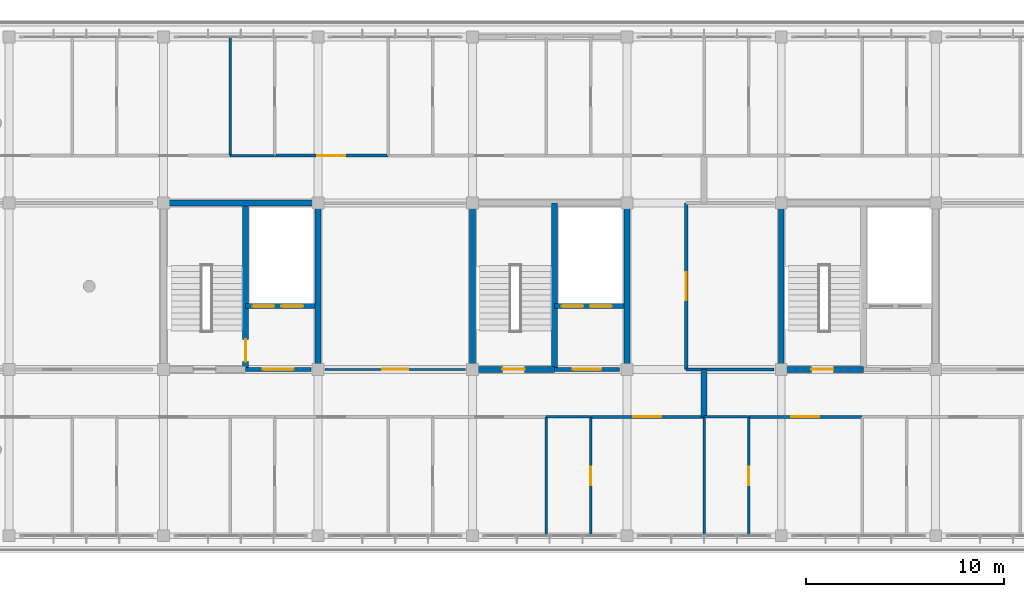
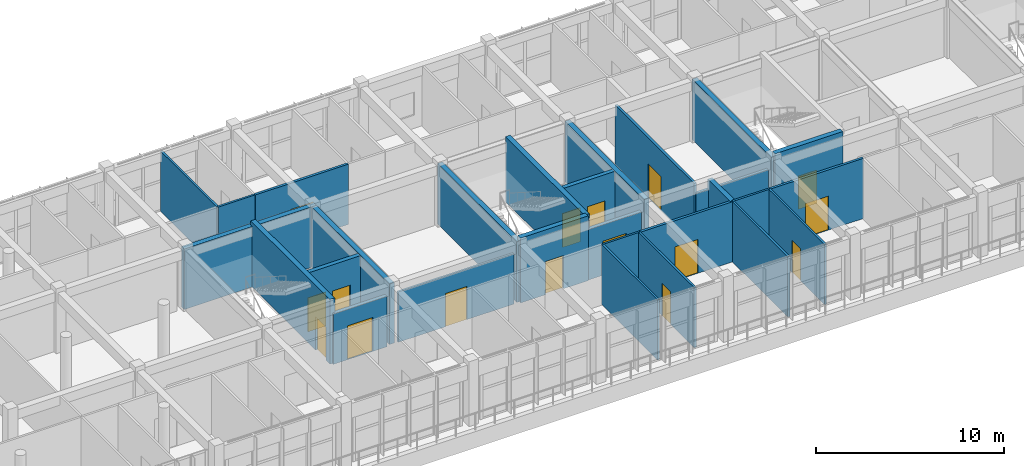
# One storey, part 48 of 56: 28 walls, 16 doors, 16 openings.
"""IFC4 building model written with IfcOpenShell, lengths in metres."""

import ifcopenshell
import ifcopenshell.guid

model = None  # the IFC model being written
_history = None  # IfcOwnerHistory: only IFC2X3 demands one
_inside = {}  # id of a spatial element -> (the spatial element, [elements in it])
_under = {}  # id of a project, library or spatial element -> (it, [spatial elements below it])
_declared = {}  # id of a project -> (the project, [libraries it declares])
_typed = {}  # id of a type object -> (the type object, [elements of that type])
_made_of = {}  # id of a material, layer set ... -> (it, [elements and type objects made of it])


def new_model(schema):
    """Start an empty IFC model of exactly this schema.

    Asked for "IFC4X3", IfcOpenShell would pick the latest addendum, in which some entities
    have other attributes; the version numbers below select the first issue.
    IFC2X3 requires an IfcOwnerHistory on every rooted entity: one is made here for all.
    """
    global model, _history
    if schema == "IFC4X3":
        model = ifcopenshell.file(schema_version=(4, 3, 0, 0))
    else:
        model = ifcopenshell.file(schema=schema)
    _inside.clear()
    _under.clear()
    _declared.clear()
    _typed.clear()
    _made_of.clear()
    _history = None
    if model.schema == "IFC2X3":
        org = make("IfcOrganization", Name="unknown")
        user = make(
            "IfcPersonAndOrganization",
            ThePerson=make("IfcPerson", FamilyName="unknown"),
            TheOrganization=org,
        )
        app = make(
            "IfcApplication",
            ApplicationDeveloper=org,
            Version="unknown",
            ApplicationFullName="unknown",
            ApplicationIdentifier="unknown",
        )
        _history = make(
            "IfcOwnerHistory",
            OwningUser=user,
            OwningApplication=app,
            ChangeAction="ADDED",
            CreationDate=0,
        )
    return model


def make(cls, **values):
    """One entity of the class cls with the attributes given. An attribute that is None is left unset."""
    return model.create_entity(
        cls, **{name: value for name, value in values.items() if value is not None}
    )


def rooted(cls, **values):
    """An entity with a GlobalId (a new one), such as an element, a storey or a relation."""
    return make(cls, GlobalId=ifcopenshell.guid.new(), OwnerHistory=_history, **values)


def si_unit(unit_type, name, prefix=None):
    """IfcSIUnit, for example si_unit("LENGTHUNIT", "METRE", prefix="MILLI")."""
    return make("IfcSIUnit", UnitType=unit_type, Prefix=prefix, Name=name)


def assignment(units):
    """IfcUnitAssignment: the units of a project."""
    return None if units is None else make("IfcUnitAssignment", Units=units)


def point(xyz):
    """IfcCartesianPoint."""
    return None if xyz is None else make("IfcCartesianPoint", Coordinates=xyz)


def direction(xyz):
    """IfcDirection."""
    return None if xyz is None else make("IfcDirection", DirectionRatios=xyz)


def frame(location, z_axis=None, x_axis=None):
    """IfcAxis2Placement3D, a coordinate frame: its origin and axes. An axis left out is left unset."""
    return make(
        "IfcAxis2Placement3D",
        Location=point(location),
        Axis=direction(z_axis),
        RefDirection=direction(x_axis),
    )


def frame_2d(location, x_axis=None):
    """IfcAxis2Placement2D, a coordinate frame in the plane: its origin and x axis."""
    return make(
        "IfcAxis2Placement2D", Location=point(location), RefDirection=direction(x_axis)
    )


def origin():
    """The frame at (0, 0, 0) with its axes left unset."""
    return frame((0.0, 0.0, 0.0))


def place(relative_to, where):
    """IfcLocalPlacement: puts the frame where relative to a parent placement (None: the world)."""
    return make(
        "IfcLocalPlacement", PlacementRelTo=relative_to, RelativePlacement=where
    )


def context(
    kind, dimensions, precision=None, world=None, true_north=None, identifier=None
):
    """IfcGeometricRepresentationContext, for example the 3D "Model" context."""
    return make(
        "IfcGeometricRepresentationContext",
        ContextIdentifier=identifier,
        ContextType=kind,
        CoordinateSpaceDimension=dimensions,
        Precision=precision,
        WorldCoordinateSystem=world,
        TrueNorth=true_north,
    )


def subcontext(parent, identifier, kind, view, scale=None):
    """IfcGeometricRepresentationSubContext, for example "Body" below "Model"."""
    return make(
        "IfcGeometricRepresentationSubContext",
        ContextIdentifier=identifier,
        ContextType=kind,
        ParentContext=parent,
        TargetScale=scale,
        TargetView=view,
    )


def project(units=None, contexts=None):
    """IfcProject with its units and contexts."""
    return rooted(
        "IfcProject",
        Name="project",
        RepresentationContexts=contexts,
        UnitsInContext=assignment(units),
    )


def spatial(cls, under=None, at=None, **own):
    """A site, building, storey or space (cls), placed at a placement, below another one or the project."""
    s = rooted(cls, ObjectPlacement=at, **own)
    if under is not None:
        _under.setdefault(under.id(), (under, []))[1].append(s)
    return s


def profile(cls, at=None, kind="AREA", **sizes):
    """A parametric profile (cls). Its sizes go by their IFC names, for example OverallWidth=200.0."""
    return make(cls, ProfileType=kind, Position=at, **sizes)


def rectangle(**sizes):
    """IfcRectangleProfileDef."""
    return profile("IfcRectangleProfileDef", **sizes)


def extrude(swept, where, along, depth):
    """IfcExtrudedAreaSolid: the profile swept, set in the frame where, extruded along a direction by depth."""
    return make(
        "IfcExtrudedAreaSolid",
        SweptArea=swept,
        Position=where,
        ExtrudedDirection=direction(along),
        Depth=depth,
    )


def shape(context_of_items, identifier, shape_type, items):
    """IfcShapeRepresentation: the items that make up one representation, for example the "Body"."""
    return make(
        "IfcShapeRepresentation",
        ContextOfItems=context_of_items,
        RepresentationIdentifier=identifier,
        RepresentationType=shape_type,
        Items=items,
    )


def material(Name=None, Category=None):
    """IfcMaterial."""
    return make("IfcMaterial", Name=Name, Category=Category)


def layer(
    of_material, thickness, ventilated=None, Name=None, Category=None, Priority=None
):
    """IfcMaterialLayer: one layer of a wall or slab, of a material (None: an air gap)."""
    return make(
        "IfcMaterialLayer",
        Material=of_material,
        LayerThickness=thickness,
        IsVentilated=ventilated,
        Name=Name,
        Category=Category,
        Priority=Priority,
    )


def layer_set(layers, Name=None):
    """IfcMaterialLayerSet."""
    return make("IfcMaterialLayerSet", MaterialLayers=layers, LayerSetName=Name)


def made_of(thing, what):
    """Note that an element or type object is made of a material, layer set ...; save() writes the relation."""
    if what is not None:
        _made_of.setdefault(what.id(), (what, []))[1].append(thing)
    return thing


def type_object(cls, material=None, **own):
    """A type object (cls), such as IfcWallType, which elements share."""
    return made_of(rooted(cls, **own), material)


def element(
    cls,
    number,
    at=None,
    inside=None,
    cuts=None,
    type_object=None,
    material=None,
    context=None,
    identifier="Body",
    shape_type=None,
    held_by="IfcProductDefinitionShape",
    body=None,
    shapes=None,
    **own,
):
    """One element of the class cls, such as IfcWall. Its Tag is "e" and its number.

    at: its placement. inside: the storey or other place that contains it. cuts: it is an
    opening in that element (IfcRelVoidsElement). A single representation is given by context,
    identifier, shape_type and body (its items); several are given by shapes. held_by: the class
    of the entity that holds the representations. save() writes the other relations.
    """
    e = rooted(cls, Tag="e%d" % number, ObjectPlacement=at, **own)
    if body is not None:
        shapes = [shape(context, identifier, shape_type, body)]
    if shapes is not None:
        e.Representation = make(held_by, Representations=shapes)
    if inside is not None:
        _inside.setdefault(inside.id(), (inside, []))[1].append(e)
    if cuts is not None:
        rooted(
            "IfcRelVoidsElement", RelatingBuildingElement=cuts, RelatedOpeningElement=e
        )
    if type_object is not None:
        _typed.setdefault(type_object.id(), (type_object, []))[1].append(e)
    return made_of(e, material)


def fill(opening, filler):
    """IfcRelFillsElement: the door or window that sits in an opening."""
    return rooted(
        "IfcRelFillsElement",
        RelatingOpeningElement=opening,
        RelatedBuildingElement=filler,
    )


def aggregate(whole, parts):
    """IfcRelAggregates: a whole, such as a stair, and the parts it consists of."""
    return rooted("IfcRelAggregates", RelatingObject=whole, RelatedObjects=parts)


def save(model, path):
    """Write the relations noted so far, then the file.

    IfcRelAggregates (storeys below a building ...), IfcRelContainedInSpatialStructure (elements
    in a storey), IfcRelDefinesByType, IfcRelAssociatesMaterial and IfcRelDeclares: one each for
    every whole, place, type object, material and project.
    """
    for whole, parts in _under.values():
        aggregate(whole, parts)
    for where, things in _inside.values():
        rooted(
            "IfcRelContainedInSpatialStructure",
            RelatedElements=things,
            RelatingStructure=where,
        )
    for kind, things in _typed.values():
        rooted("IfcRelDefinesByType", RelatedObjects=things, RelatingType=kind)
    for what, things in _made_of.values():
        rooted("IfcRelAssociatesMaterial", RelatedObjects=things, RelatingMaterial=what)
    for by, libraries in _declared.values():
        rooted("IfcRelDeclares", RelatingContext=by, RelatedDefinitions=libraries)
    model.write(path)


model = new_model("IFC4")

# Units and contexts
model_context = context("Model", 3, precision=1e-05, world=origin(), true_north=direction((0.0, 1.0)))
body_context = subcontext(model_context, "Body", "Model", "MODEL_VIEW")
ifc_project = project(units=[si_unit("LENGTHUNIT", "METRE"), si_unit("AREAUNIT", "SQUARE_METRE"), si_unit("VOLUMEUNIT", "CUBIC_METRE"), si_unit("PLANEANGLEUNIT", "RADIAN"), si_unit("MASSUNIT", "GRAM", prefix="KILO")], contexts=[model_context])

# Site, building, storey
site_placement = place(None, origin())
site = spatial("IfcSite", under=ifc_project, at=site_placement, CompositionType="ELEMENT")
building_placement = place(site_placement, origin())
building = spatial("IfcBuilding", under=site, at=building_placement, Name="Zizhar Promenade General Hospital", CompositionType="ELEMENT")
storey_placement = place(building_placement, frame((0.0, 0.0, 26.39990234375)))
storey = spatial("IfcBuildingStorey", under=building, at=storey_placement, Name="L06", CompositionType="ELEMENT", Elevation=26.39990234375)

# Wall
ifc_material_1 = material(Name="Concrete C35/45", Category="concrete")
ifc_layer_1 = layer(ifc_material_1, 0.284912109375)
ifc_layer_set_1 = layer_set([ifc_layer_1], Name="Concrete C35/45")
wall_type_1 = type_object("IfcWallType", Name="IW-COMP-285", PredefinedType="STANDARD", material=ifc_layer_set_1)
wall_1_placement = place(storey_placement, frame((74.10009765625, 6.0, 0.0), z_axis=(0.0, 0.0, 1.0), x_axis=(0.0, 1.0, 0.0)))
element("IfcWall", 1, at=wall_1_placement, inside=storey, type_object=wall_type_1, Name="Horizontal Fire Compartment Wall South (L06)", PredefinedType="STANDARD", context=body_context, shape_type="SweptSolid", body=[
    extrude(rectangle(XDim=2.39990234375, YDim=0.284912109375, at=frame_2d((1.199951171875, 0.0))), origin(), (0.0, 0.0, 1.0), 3.900146484375),
])

# Wall, opening, door
ifc_material_2 = material(Name="Concrete C35/45", Category="concrete")
ifc_layer_2 = layer(ifc_material_2, 0.215087890625)
ifc_layer_set_2 = layer_set([ifc_layer_2], Name="Concrete C35/45")
wall_type_2 = type_object("IfcWallType", Name="IW-LOBBY-215", PredefinedType="STANDARD", material=ifc_layer_set_2)
wall_2_placement = place(storey_placement, frame((50.949951171875, 8.39990234375, 0.0), z_axis=(0.0, 0.0, 1.0), x_axis=(1.0, 0.0, 0.0)))
wall_2 = element("IfcWall", 2, at=wall_2_placement, inside=storey, type_object=wall_type_2, Name="Core C2 Lift Lobby South Fire Wall (L06)", PredefinedType="STANDARD", context=body_context, shape_type="SweptSolid", body=[
    extrude(rectangle(XDim=3.2900390625, YDim=0.215087890625, at=frame_2d((1.64501953125, 0.0))), origin(), (0.0, 0.0, 1.0), 3.27001953125),
])
opening_1_placement = place(wall_2_placement, frame((0.864990234375, 0.0, 0.0)))
opening_1 = element("IfcOpeningElement", 3, at=opening_1_placement, cuts=wall_2, Name="Opening D-22", PredefinedType="OPENING", context=body_context, shape_type="SweptSolid", body=[
    extrude(rectangle(XDim=1.56005859375, YDim=2.199951171875, at=frame_2d((0.780029296875, 1.10009765625))), frame((0.0, 0.11767578125, 0.0), z_axis=(0.0, -1.0, 0.0), x_axis=(1.0, 0.0, 0.0)), (0.0, 0.0, 1.0), 0.235107421875),
])
ifc_material_3 = material(Name="Steel S355 firefighting lobby pair", Category="steel")
door_type_1 = type_object("IfcDoorType", Name="DR-LOBBY-FF-156x220", OperationType="DOUBLE_DOOR_SINGLE_SWING", PredefinedType="DOOR", material=ifc_material_3)
door_1_placement = place(opening_1_placement, origin())
door_1 = element("IfcDoor", 4, at=door_1_placement, inside=storey, type_object=door_type_1, Name="Core C2 Firefighting Lift Lobby Door (L06)", OperationType="DOUBLE_DOOR_SINGLE_SWING", OverallHeight=2.199951171875, OverallWidth=1.56005859375, PredefinedType="DOOR", context=body_context, shape_type="SweptSolid", body=[
    extrude(rectangle(XDim=1.56005859375, YDim=2.199951171875, at=frame_2d((0.780029296875, 1.10009765625))), frame((0.0, 0.02490234375, 0.0), z_axis=(0.0, -1.0, 0.0), x_axis=(1.0, 0.0, 0.0)), (0.0, 0.0, 1.0), 0.050048828125),
])
fill(opening_1, door_1)

wall_3_placement = place(storey_placement, frame((66.550048828125, 8.39990234375, 0.0), z_axis=(0.0, 0.0, 1.0), x_axis=(1.0, 0.0, 0.0)))
wall_3 = element("IfcWall", 5, at=wall_3_placement, inside=storey, type_object=wall_type_2, Name="Core C3 Lift Lobby South Fire Wall (L06)", PredefinedType="STANDARD", context=body_context, shape_type="SweptSolid", body=[
    extrude(rectangle(XDim=3.2900390625, YDim=0.215087890625, at=frame_2d((1.64501953125, 0.0))), origin(), (0.0, 0.0, 1.0), 3.27001953125),
])
opening_2_placement = place(wall_3_placement, frame((0.925048828125, 0.0, 0.0)))
opening_2 = element("IfcOpeningElement", 6, at=opening_2_placement, cuts=wall_3, Name="Opening D-23", PredefinedType="OPENING", context=body_context, shape_type="SweptSolid", body=[
    extrude(rectangle(XDim=1.43994140625, YDim=2.199951171875, at=frame_2d((0.719970703125, 1.10009765625))), frame((0.0, 0.11767578125, 0.0), z_axis=(0.0, -1.0, 0.0), x_axis=(1.0, 0.0, 0.0)), (0.0, 0.0, 1.0), 0.235107421875),
])
ifc_material_4 = material(Name="Fire-rated timber lift lobby pair", Category="wood")
door_type_2 = type_object("IfcDoorType", Name="DR-LOBBY-PR-144x220", OperationType="DOUBLE_DOOR_SINGLE_SWING", PredefinedType="DOOR", material=ifc_material_4)
door_2_placement = place(opening_2_placement, origin())
door_2 = element("IfcDoor", 7, at=door_2_placement, inside=storey, type_object=door_type_2, Name="Core C3 Protected Lift Lobby Door (L06)", OperationType="DOUBLE_DOOR_SINGLE_SWING", OverallHeight=2.199951171875, OverallWidth=1.43994140625, PredefinedType="DOOR", context=body_context, shape_type="SweptSolid", body=[
    extrude(rectangle(XDim=1.43994140625, YDim=2.199951171875, at=frame_2d((0.719970703125, 1.10009765625))), frame((0.0, 0.02490234375, 0.0), z_axis=(0.0, -1.0, 0.0), x_axis=(1.0, 0.0, 0.0)), (0.0, 0.0, 1.0), 0.050048828125),
])
fill(opening_2, door_2)

# Wall, openings, doors
ifc_material_5 = material(Name="Concrete C35/45", Category="concrete")
ifc_layer_3 = layer(ifc_material_5, 0.25)
ifc_layer_set_3 = layer_set([ifc_layer_3], Name="Concrete C35/45")
wall_type_3 = type_object("IfcWallType", Name="IW-SHAFT-250", PredefinedType="STANDARD", material=ifc_layer_set_3)
wall_4_placement = place(storey_placement, frame((50.949951171875, 11.60009765625, 0.0), z_axis=(0.0, 0.0, 1.0), x_axis=(1.0, 0.0, 0.0)))
wall_4 = element("IfcWall", 8, at=wall_4_placement, inside=storey, type_object=wall_type_3, Name="Core C2 Lift Shaft Landing Wall (L06)", PredefinedType="STANDARD", context=body_context, shape_type="SweptSolid", body=[
    extrude(rectangle(XDim=3.5, YDim=0.25, at=frame_2d((1.75, 0.0))), origin(), (0.0, 0.0, 1.0), 3.900146484375),
])
opening_3_placement = place(wall_4_placement, frame((0.35009765625, 0.0, 0.0)))
opening_3 = element("IfcOpeningElement", 9, at=opening_3_placement, cuts=wall_4, Name="Opening LD-11", PredefinedType="OPENING", context=body_context, shape_type="SweptSolid", body=[
    extrude(rectangle(XDim=1.10009765625, YDim=2.199951171875, at=frame_2d((0.550048828125, 1.10009765625))), frame((0.0, 0.135009765625, 0.0), z_axis=(0.0, -1.0, 0.0), x_axis=(1.0, 0.0, 0.0)), (0.0, 0.0, 1.0), 0.27001953125),
])
opening_4_placement = place(wall_4_placement, frame((1.800048828125, 0.0, 0.0)))
opening_4 = element("IfcOpeningElement", 10, at=opening_4_placement, cuts=wall_4, Name="Opening LD-11", PredefinedType="OPENING", context=body_context, shape_type="SweptSolid", body=[
    extrude(rectangle(XDim=1.10009765625, YDim=2.199951171875, at=frame_2d((0.550048828125, 1.10009765625))), frame((0.0, 0.135009765625, 0.0), z_axis=(0.0, -1.0, 0.0), x_axis=(1.0, 0.0, 0.0)), (0.0, 0.0, 1.0), 0.27001953125),
])
ifc_material_6 = material(Name="Stainless Steel S355 passenger lift landing door", Category="steel")
door_type_3 = type_object("IfcDoorType", Name="DR-LIFT-LD11", OperationType="SLIDING_TO_LEFT", PredefinedType="DOOR", material=ifc_material_6)
door_3_placement = place(opening_3_placement, origin())
door_3 = element("IfcDoor", 11, at=door_3_placement, inside=storey, type_object=door_type_3, Name="Lift LF-01 Sliding Landing Door (L06)", OperationType="SLIDING_TO_LEFT", OverallHeight=2.199951171875, OverallWidth=1.10009765625, PredefinedType="DOOR", context=body_context, shape_type="SweptSolid", body=[
    extrude(rectangle(XDim=1.10009765625, YDim=2.199951171875, at=frame_2d((0.550048828125, 1.10009765625))), frame((0.0, 0.02490234375, 0.0), z_axis=(0.0, -1.0, 0.0), x_axis=(1.0, 0.0, 0.0)), (0.0, 0.0, 1.0), 0.050048828125),
])
fill(opening_3, door_3)
door_4_placement = place(opening_4_placement, origin())
door_4 = element("IfcDoor", 12, at=door_4_placement, inside=storey, type_object=door_type_3, Name="Lift LB-01 Sliding Landing Door (L06)", OperationType="SLIDING_TO_LEFT", OverallHeight=2.199951171875, OverallWidth=1.10009765625, PredefinedType="DOOR", context=body_context, shape_type="SweptSolid", body=[
    extrude(rectangle(XDim=1.10009765625, YDim=2.199951171875, at=frame_2d((0.550048828125, 1.10009765625))), frame((0.0, 0.02490234375, 0.0), z_axis=(0.0, -1.0, 0.0), x_axis=(1.0, 0.0, 0.0)), (0.0, 0.0, 1.0), 0.050048828125),
])
fill(opening_4, door_4)

wall_5_placement = place(storey_placement, frame((66.550048828125, 11.60009765625, 0.0), z_axis=(0.0, 0.0, 1.0), x_axis=(1.0, 0.0, 0.0)))
wall_5 = element("IfcWall", 13, at=wall_5_placement, inside=storey, type_object=wall_type_3, Name="Core C3 Lift Shaft Landing Wall (L06)", PredefinedType="STANDARD", context=body_context, shape_type="SweptSolid", body=[
    extrude(rectangle(XDim=3.5, YDim=0.25, at=frame_2d((1.75, 0.0))), origin(), (0.0, 0.0, 1.0), 3.900146484375),
])
opening_5_placement = place(wall_5_placement, frame((0.35009765625, 0.0, 0.0)))
opening_5 = element("IfcOpeningElement", 14, at=opening_5_placement, cuts=wall_5, Name="Opening LD-11", PredefinedType="OPENING", context=body_context, shape_type="SweptSolid", body=[
    extrude(rectangle(XDim=1.10009765625, YDim=2.199951171875, at=frame_2d((0.550048828125, 1.10009765625))), frame((0.0, 0.135009765625, 0.0), z_axis=(0.0, -1.0, 0.0), x_axis=(1.0, 0.0, 0.0)), (0.0, 0.0, 1.0), 0.27001953125),
])
opening_6_placement = place(wall_5_placement, frame((1.800048828125, 0.0, 0.0)))
opening_6 = element("IfcOpeningElement", 15, at=opening_6_placement, cuts=wall_5, Name="Opening LD-11", PredefinedType="OPENING", context=body_context, shape_type="SweptSolid", body=[
    extrude(rectangle(XDim=1.10009765625, YDim=2.199951171875, at=frame_2d((0.550048828125, 1.10009765625))), frame((0.0, 0.135009765625, 0.0), z_axis=(0.0, -1.0, 0.0), x_axis=(1.0, 0.0, 0.0)), (0.0, 0.0, 1.0), 0.27001953125),
])
door_5_placement = place(opening_5_placement, origin())
door_5 = element("IfcDoor", 16, at=door_5_placement, inside=storey, type_object=door_type_3, Name="Lift LB-02 Sliding Landing Door (L06)", OperationType="SLIDING_TO_LEFT", OverallHeight=2.199951171875, OverallWidth=1.10009765625, PredefinedType="DOOR", context=body_context, shape_type="SweptSolid", body=[
    extrude(rectangle(XDim=1.10009765625, YDim=2.199951171875, at=frame_2d((0.550048828125, 1.10009765625))), frame((0.0, 0.02490234375, 0.0), z_axis=(0.0, -1.0, 0.0), x_axis=(1.0, 0.0, 0.0)), (0.0, 0.0, 1.0), 0.050048828125),
])
fill(opening_5, door_5)
door_6_placement = place(opening_6_placement, origin())
door_6 = element("IfcDoor", 17, at=door_6_placement, inside=storey, type_object=door_type_3, Name="Lift LP-02 Sliding Landing Door (L06)", OperationType="SLIDING_TO_LEFT", OverallHeight=2.199951171875, OverallWidth=1.10009765625, PredefinedType="DOOR", context=body_context, shape_type="SweptSolid", body=[
    extrude(rectangle(XDim=1.10009765625, YDim=2.199951171875, at=frame_2d((0.550048828125, 1.10009765625))), frame((0.0, 0.02490234375, 0.0), z_axis=(0.0, -1.0, 0.0), x_axis=(1.0, 0.0, 0.0)), (0.0, 0.0, 1.0), 0.050048828125),
])
fill(opening_6, door_6)

# Wall, opening, door
ifc_material_7 = material(Name="Clean utility gypsum partition")
ifc_layer_4 = layer(ifc_material_7, 0.114990234375)
ifc_layer_set_4 = layer_set([ifc_layer_4], Name="Clean utility gypsum partition")
wall_type_4 = type_object("IfcWallType", Name="IW-STR-115", PredefinedType="PARTITIONING", material=ifc_layer_set_4)
wall_6_placement = place(storey_placement, frame((54.9599609375, 8.39990234375, 0.0), z_axis=(0.0, 0.0, 1.0), x_axis=(1.0, 0.0, 0.0)))
wall_6 = element("IfcWall", 18, at=wall_6_placement, inside=storey, type_object=wall_type_4, Name="Nurse Station and Medication Room L06 S Partition", PredefinedType="PARTITIONING", context=body_context, shape_type="SweptSolid", body=[
    extrude(rectangle(XDim=7.080078125, YDim=0.114990234375, at=frame_2d((3.5400390625, 0.0))), origin(), (0.0, 0.0, 1.0), 3.27001953125),
])
opening_7_placement = place(wall_6_placement, frame((2.8798828125, 0.0, 0.0)))
opening_7 = element("IfcOpeningElement", 19, at=opening_7_placement, cuts=wall_6, Name="Opening D-26", PredefinedType="OPENING", context=body_context, shape_type="SweptSolid", body=[
    extrude(rectangle(XDim=1.320068359375, YDim=2.14990234375, at=frame_2d((0.66015625, 1.074951171875))), frame((0.0, 0.0673828125, 0.0), z_axis=(0.0, -1.0, 0.0), x_axis=(1.0, 0.0, 0.0)), (0.0, 0.0, 1.0), 0.135009765625),
])
ifc_material_8 = material(Name="Fire-rated timber store leaf", Category="wood")
door_type_4 = type_object("IfcDoorType", Name="DR-STORE-132x215", OperationType="NOTDEFINED", PredefinedType="DOOR", material=ifc_material_8)
door_7_placement = place(opening_7_placement, origin())
door_7 = element("IfcDoor", 20, at=door_7_placement, inside=storey, type_object=door_type_4, Name="Nurse Station and Medication Room L06 Door", OperationType="SINGLE_SWING_RIGHT", OverallHeight=2.14990234375, OverallWidth=1.320068359375, PredefinedType="DOOR", context=body_context, shape_type="SweptSolid", body=[
    extrude(rectangle(XDim=1.320068359375, YDim=2.14990234375, at=frame_2d((0.66015625, 1.074951171875))), frame((0.0, 0.02490234375, 0.0), z_axis=(0.0, -1.0, 0.0), x_axis=(1.0, 0.0, 0.0)), (0.0, 0.0, 1.0), 0.050048828125),
])
fill(opening_7, door_7)

ifc_material_9 = material(Name="Acoustic patient bedroom partition")
ifc_layer_5 = layer(ifc_material_9, 0.155029296875)
ifc_layer_set_5 = layer_set([ifc_layer_5], Name="Acoustic patient bedroom partition")
wall_type_5 = type_object("IfcWallType", Name="IW-WARD-155", PredefinedType="PARTITIONING", material=ifc_layer_set_5)
wall_7_placement = place(storey_placement, frame((52.419921875, 19.199951171875, 0.0), z_axis=(0.0, 0.0, 1.0), x_axis=(1.0, 0.0, 0.0)))
wall_7 = element("IfcWall", 21, at=wall_7_placement, inside=storey, type_object=wall_type_5, Name="Surgical Recovery Inpatient Ward L06-N03 S Partition", PredefinedType="PARTITIONING", context=body_context, shape_type="SweptSolid", body=[
    extrude(rectangle(XDim=5.7099609375, YDim=0.155029296875, at=frame_2d((2.85498046875, 0.0))), origin(), (0.0, 0.0, 1.0), 3.900146484375),
])
opening_8_placement = place(wall_7_placement, frame((2.155029296875, 0.0, 0.0)))
opening_8 = element("IfcOpeningElement", 22, at=opening_8_placement, cuts=wall_7, Name="Opening D-06", PredefinedType="OPENING", context=body_context, shape_type="SweptSolid", body=[
    extrude(rectangle(XDim=1.39990234375, YDim=2.199951171875, at=frame_2d((0.699951171875, 1.10009765625))), frame((0.0, 0.08740234375, 0.0), z_axis=(0.0, -1.0, 0.0), x_axis=(1.0, 0.0, 0.0)), (0.0, 0.0, 1.0), 0.175048828125),
])
ifc_material_10 = material(Name="Fire-rated timber hospital bed leaf", Category="wood")
door_type_5 = type_object("IfcDoorType", Name="DR-BED-WARD-140x220", OperationType="NOTDEFINED", PredefinedType="DOOR", material=ifc_material_10)
door_8_placement = place(opening_8_placement, origin())
door_8 = element("IfcDoor", 23, at=door_8_placement, inside=storey, type_object=door_type_5, Name="Surgical Recovery Inpatient Ward L06-N03 Door", OperationType="SINGLE_SWING_LEFT", OverallHeight=2.199951171875, OverallWidth=1.39990234375, PredefinedType="DOOR", context=body_context, shape_type="SweptSolid", body=[
    extrude(rectangle(XDim=1.39990234375, YDim=2.199951171875, at=frame_2d((0.699951171875, 1.10009765625))), frame((0.0, 0.02490234375, 0.0), z_axis=(0.0, -1.0, 0.0), x_axis=(1.0, 0.0, 0.0)), (0.0, 0.0, 1.0), 0.050048828125),
])
fill(opening_8, door_8)

wall_8_placement = place(storey_placement, frame((68.3798828125, 6.0, 0.0), z_axis=(0.0, 0.0, 1.0), x_axis=(1.0, 0.0, 0.0)))
wall_8 = element("IfcWall", 24, at=wall_8_placement, inside=storey, type_object=wall_type_5, Name="Surgical Recovery Inpatient Ward L06-S05 N Partition", PredefinedType="PARTITIONING", context=body_context, shape_type="SweptSolid", body=[
    extrude(rectangle(XDim=5.710205078125, YDim=0.155029296875, at=frame_2d((2.85498046875, 0.0))), origin(), (0.0, 0.0, 1.0), 3.900146484375),
])
opening_9_placement = place(wall_8_placement, frame((2.155029296875, 0.0, 0.0)))
opening_9 = element("IfcOpeningElement", 25, at=opening_9_placement, cuts=wall_8, Name="Opening D-06", PredefinedType="OPENING", context=body_context, shape_type="SweptSolid", body=[
    extrude(rectangle(XDim=1.39990234375, YDim=2.199951171875, at=frame_2d((0.699951171875, 1.10009765625))), frame((0.0, 0.08740234375, 0.0), z_axis=(0.0, -1.0, 0.0), x_axis=(1.0, 0.0, 0.0)), (0.0, 0.0, 1.0), 0.175048828125),
])
door_9_placement = place(opening_9_placement, origin())
door_9 = element("IfcDoor", 26, at=door_9_placement, inside=storey, type_object=door_type_5, Name="Surgical Recovery Inpatient Ward L06-S05 Door", OperationType="SINGLE_SWING_RIGHT", OverallHeight=2.199951171875, OverallWidth=1.39990234375, PredefinedType="DOOR", context=body_context, shape_type="SweptSolid", body=[
    extrude(rectangle(XDim=1.39990234375, YDim=2.199951171875, at=frame_2d((0.699951171875, 1.10009765625))), frame((0.0, 0.02490234375, 0.0), z_axis=(0.0, -1.0, 0.0), x_axis=(1.0, 0.0, 0.0)), (0.0, 0.0, 1.0), 0.050048828125),
])
fill(opening_9, door_9)

wall_9_placement = place(storey_placement, frame((76.360107421875, 6.0, 0.0), z_axis=(0.0, 0.0, 1.0), x_axis=(1.0, 0.0, 0.0)))
wall_9 = element("IfcWall", 27, at=wall_9_placement, inside=storey, type_object=wall_type_5, Name="Orthopaedic Inpatient Ward L06-S06 N Partition", PredefinedType="PARTITIONING", context=body_context, shape_type="SweptSolid", body=[
    extrude(rectangle(XDim=5.7099609375, YDim=0.155029296875, at=frame_2d((2.85498046875, 0.0))), origin(), (0.0, 0.0, 1.0), 3.900146484375),
])
opening_10_placement = place(wall_9_placement, frame((2.155029296875, 0.0, 0.0)))
opening_10 = element("IfcOpeningElement", 28, at=opening_10_placement, cuts=wall_9, Name="Opening D-06", PredefinedType="OPENING", context=body_context, shape_type="SweptSolid", body=[
    extrude(rectangle(XDim=1.39990234375, YDim=2.199951171875, at=frame_2d((0.699951171875, 1.10009765625))), frame((0.0, 0.08740234375, 0.0), z_axis=(0.0, -1.0, 0.0), x_axis=(1.0, 0.0, 0.0)), (0.0, 0.0, 1.0), 0.175048828125),
])
door_10_placement = place(opening_10_placement, origin())
door_10 = element("IfcDoor", 29, at=door_10_placement, inside=storey, type_object=door_type_5, Name="Orthopaedic Inpatient Ward L06-S06 Door", OperationType="SINGLE_SWING_RIGHT", OverallHeight=2.199951171875, OverallWidth=1.39990234375, PredefinedType="DOOR", context=body_context, shape_type="SweptSolid", body=[
    extrude(rectangle(XDim=1.39990234375, YDim=2.199951171875, at=frame_2d((0.699951171875, 1.10009765625))), frame((0.0, 0.02490234375, 0.0), z_axis=(0.0, -1.0, 0.0), x_axis=(1.0, 0.0, 0.0)), (0.0, 0.0, 1.0), 0.050048828125),
])
fill(opening_10, door_10)

# Wall
wall_10_placement = place(storey_placement, frame((73.199951171875, 8.39990234375, 0.0), z_axis=(0.0, 0.0, 1.0), x_axis=(1.0, 0.0, 0.0)))
element("IfcWall", 30, at=wall_10_placement, inside=storey, type_object=wall_type_5, Name="Ward Rehabilitation Physiotherapy Gym S Partition", PredefinedType="PARTITIONING", context=body_context, shape_type="SweptSolid", body=[
    extrude(rectangle(XDim=4.43994140625, YDim=0.155029296875, at=frame_2d((2.219970703125, 0.0))), origin(), (0.0, 0.0, 1.0), 3.27001953125),
])

# Wall, opening, door
wall_11_placement = place(storey_placement, frame((73.199951171875, 8.39990234375, 0.0), z_axis=(0.0, 0.0, 1.0), x_axis=(0.0, 1.0, 0.0)))
wall_11 = element("IfcWall", 31, at=wall_11_placement, inside=storey, type_object=wall_type_5, Name="Ward Rehabilitation Physiotherapy Gym W Partition", PredefinedType="PARTITIONING", context=body_context, shape_type="SweptSolid", body=[
    extrude(rectangle(XDim=8.400146484375, YDim=0.155029296875, at=frame_2d((4.2001953125, 0.0))), origin(), (0.0, 0.0, 1.0), 3.900146484375),
])
opening_11_placement = place(wall_11_placement, frame((3.5, 0.0, 0.0)))
opening_11 = element("IfcOpeningElement", 32, at=opening_11_placement, cuts=wall_11, Name="Opening D-06", PredefinedType="OPENING", context=body_context, shape_type="SweptSolid", body=[
    extrude(rectangle(XDim=1.39990234375, YDim=2.199951171875, at=frame_2d((0.699951171875, 1.10009765625))), frame((0.0, 0.08740234375, 0.0), z_axis=(0.0, -1.0, 0.0), x_axis=(1.0, 0.0, 0.0)), (0.0, 0.0, 1.0), 0.175048828125),
])
door_11_placement = place(opening_11_placement, origin())
door_11 = element("IfcDoor", 33, at=door_11_placement, inside=storey, type_object=door_type_5, Name="Ward Rehabilitation Physiotherapy Gym Door", OperationType="SINGLE_SWING_LEFT", OverallHeight=2.199951171875, OverallWidth=1.39990234375, PredefinedType="DOOR", context=body_context, shape_type="SweptSolid", body=[
    extrude(rectangle(XDim=1.39990234375, YDim=2.199951171875, at=frame_2d((0.699951171875, 1.10009765625))), frame((0.0, 0.02490234375, 0.0), z_axis=(0.0, -1.0, 0.0), x_axis=(1.0, 0.0, 0.0)), (0.0, 0.0, 1.0), 0.050048828125),
])
fill(opening_11, door_11)

# Walls
ifc_material_11 = material(Name="Moisture-resistant en-suite wet partition")
ifc_layer_6 = layer(ifc_material_11, 0.125)
ifc_layer_set_6 = layer_set([ifc_layer_6], Name="Moisture-resistant en-suite wet partition")
wall_type_6 = type_object("IfcWallType", Name="IW-WET-125", PredefinedType="PARTITIONING", material=ifc_layer_set_6)
wall_12_placement = place(storey_placement, frame((50.159912109375, 19.199951171875, 0.0), z_axis=(0.0, 0.0, 1.0), x_axis=(1.0, 0.0, 0.0)))
element("IfcWall", 34, at=wall_12_placement, inside=storey, type_object=wall_type_6, Name="En-Suite Patient Bathroom L06-N03 S Partition", PredefinedType="PARTITIONING", context=body_context, shape_type="SweptSolid", body=[
    extrude(rectangle(XDim=2.25, YDim=0.125, at=frame_2d((1.125, 0.0))), origin(), (0.0, 0.0, 1.0), 3.900146484375),
])
wall_13_placement = place(storey_placement, frame((50.159912109375, 19.199951171875, 0.0), z_axis=(0.0, 0.0, 1.0), x_axis=(0.0, 1.0, 0.0)))
element("IfcWall", 35, at=wall_13_placement, inside=storey, type_object=wall_type_6, Name="En-Suite Patient Bathroom L06-N03 W Partition", PredefinedType="PARTITIONING", context=body_context, shape_type="SweptSolid", body=[
    extrude(rectangle(XDim=5.955078125, YDim=0.125, at=frame_2d((2.9775390625, 0.0))), origin(), (0.0, 0.0, 1.0), 3.900146484375),
])
wall_14_placement = place(storey_placement, frame((66.1201171875, 6.0, 0.0), z_axis=(0.0, 0.0, 1.0), x_axis=(1.0, 0.0, 0.0)))
element("IfcWall", 36, at=wall_14_placement, inside=storey, type_object=wall_type_6, Name="En-Suite Patient Bathroom L06-S05 N Partition", PredefinedType="PARTITIONING", context=body_context, shape_type="SweptSolid", body=[
    extrude(rectangle(XDim=2.25, YDim=0.125, at=frame_2d((1.125, 0.0))), origin(), (0.0, 0.0, 1.0), 3.900146484375),
])
wall_15_placement = place(storey_placement, frame((66.1201171875, 0.044921875, 0.0), z_axis=(0.0, 0.0, 1.0), x_axis=(0.0, 1.0, 0.0)))
element("IfcWall", 37, at=wall_15_placement, inside=storey, type_object=wall_type_6, Name="En-Suite Patient Bathroom L06-S05 W Partition", PredefinedType="PARTITIONING", context=body_context, shape_type="SweptSolid", body=[
    extrude(rectangle(XDim=5.955078125, YDim=0.125, at=frame_2d((2.9775390625, 0.0))), origin(), (0.0, 0.0, 1.0), 3.900146484375),
])

# Wall, opening, door
wall_16_placement = place(storey_placement, frame((68.3701171875, 0.044921875, 0.0), z_axis=(0.0, 0.0, 1.0), x_axis=(0.0, 1.0, 0.0)))
wall_16 = element("IfcWall", 38, at=wall_16_placement, inside=storey, type_object=wall_type_6, Name="En-Suite Patient Bathroom L06-S05 E Partition", PredefinedType="PARTITIONING", context=body_context, shape_type="SweptSolid", body=[
    extrude(rectangle(XDim=5.955078125, YDim=0.125, at=frame_2d((2.9775390625, 0.0))), origin(), (0.0, 0.0, 1.0), 3.900146484375),
])
opening_12_placement = place(wall_16_placement, frame((2.517578125, 0.0, 0.0)))
opening_12 = element("IfcOpeningElement", 39, at=opening_12_placement, cuts=wall_16, Name="Opening D-18", PredefinedType="OPENING", context=body_context, shape_type="SweptSolid", body=[
    extrude(rectangle(XDim=0.919921875, YDim=2.10009765625, at=frame_2d((0.4599609375, 1.050048828125))), frame((0.0, 0.072509765625, 0.0), z_axis=(0.0, -1.0, 0.0), x_axis=(1.0, 0.0, 0.0)), (0.0, 0.0, 1.0), 0.14501953125),
])
ifc_material_12 = material(Name="Moisture-resistant timber en-suite leaf", Category="wood")
door_type_6 = type_object("IfcDoorType", Name="DR-ENS-STD-092x210", OperationType="NOTDEFINED", PredefinedType="DOOR", material=ifc_material_12)
door_12_placement = place(opening_12_placement, origin())
door_12 = element("IfcDoor", 40, at=door_12_placement, inside=storey, type_object=door_type_6, Name="En-Suite Patient Bathroom L06-S05 Door", OperationType="SINGLE_SWING_RIGHT", OverallHeight=2.10009765625, OverallWidth=0.919921875, PredefinedType="DOOR", context=body_context, shape_type="SweptSolid", body=[
    extrude(rectangle(XDim=0.919921875, YDim=2.10009765625, at=frame_2d((0.4599609375, 1.050048828125))), frame((0.0, 0.02490234375, 0.0), z_axis=(0.0, -1.0, 0.0), x_axis=(1.0, 0.0, 0.0)), (0.0, 0.0, 1.0), 0.050048828125),
])
fill(opening_12, door_12)

# Walls
wall_17_placement = place(storey_placement, frame((74.10009765625, 6.0, 0.0), z_axis=(0.0, 0.0, 1.0), x_axis=(1.0, 0.0, 0.0)))
element("IfcWall", 41, at=wall_17_placement, inside=storey, type_object=wall_type_6, Name="En-Suite Patient Bathroom L06-S06 N Partition", PredefinedType="PARTITIONING", context=body_context, shape_type="SweptSolid", body=[
    extrude(rectangle(XDim=2.25, YDim=0.125, at=frame_2d((1.125, 0.0))), origin(), (0.0, 0.0, 1.0), 3.900146484375),
])
wall_18_placement = place(storey_placement, frame((74.10009765625, 0.044921875, 0.0), z_axis=(0.0, 0.0, 1.0), x_axis=(0.0, 1.0, 0.0)))
element("IfcWall", 42, at=wall_18_placement, inside=storey, type_object=wall_type_6, Name="En-Suite Patient Bathroom L06-S06 W Partition", PredefinedType="PARTITIONING", context=body_context, shape_type="SweptSolid", body=[
    extrude(rectangle(XDim=5.955078125, YDim=0.125, at=frame_2d((2.9775390625, 0.0))), origin(), (0.0, 0.0, 1.0), 3.900146484375),
])

# Wall, opening, door
wall_19_placement = place(storey_placement, frame((76.35009765625, 0.044921875, 0.0), z_axis=(0.0, 0.0, 1.0), x_axis=(0.0, 1.0, 0.0)))
wall_19 = element("IfcWall", 43, at=wall_19_placement, inside=storey, type_object=wall_type_6, Name="En-Suite Patient Bathroom L06-S06 E Partition", PredefinedType="PARTITIONING", context=body_context, shape_type="SweptSolid", body=[
    extrude(rectangle(XDim=5.955078125, YDim=0.125, at=frame_2d((2.9775390625, 0.0))), origin(), (0.0, 0.0, 1.0), 3.900146484375),
])
opening_13_placement = place(wall_19_placement, frame((2.517578125, 0.0, 0.0)))
opening_13 = element("IfcOpeningElement", 44, at=opening_13_placement, cuts=wall_19, Name="Opening D-18", PredefinedType="OPENING", context=body_context, shape_type="SweptSolid", body=[
    extrude(rectangle(XDim=0.919921875, YDim=2.10009765625, at=frame_2d((0.4599609375, 1.050048828125))), frame((0.0, 0.072509765625, 0.0), z_axis=(0.0, -1.0, 0.0), x_axis=(1.0, 0.0, 0.0)), (0.0, 0.0, 1.0), 0.14501953125),
])
door_13_placement = place(opening_13_placement, origin())
door_13 = element("IfcDoor", 45, at=door_13_placement, inside=storey, type_object=door_type_6, Name="En-Suite Patient Bathroom L06-S06 Door", OperationType="SINGLE_SWING_RIGHT", OverallHeight=2.10009765625, OverallWidth=0.919921875, PredefinedType="DOOR", context=body_context, shape_type="SweptSolid", body=[
    extrude(rectangle(XDim=0.919921875, YDim=2.10009765625, at=frame_2d((0.4599609375, 1.050048828125))), frame((0.0, 0.02490234375, 0.0), z_axis=(0.0, -1.0, 0.0), x_axis=(1.0, 0.0, 0.0)), (0.0, 0.0, 1.0), 0.050048828125),
])
fill(opening_13, door_13)

# Walls
ifc_material_13 = material(Name="Concrete C40/50", Category="concrete")
ifc_layer_7 = layer(ifc_material_13, 0.300048828125)
ifc_layer_set_7 = layer_set([ifc_layer_7], Name="Concrete C40/50")
wall_type_7 = type_object("IfcWallType", Name="WL-CORE-300", PredefinedType="SHEAR", material=ifc_layer_set_7)
wall_20_placement = place(storey_placement, frame((46.64990234375, 16.800048828125, 0.0), z_axis=(0.0, 0.0, 1.0), x_axis=(1.0, 0.0, 0.0)))
element("IfcWall", 46, at=wall_20_placement, inside=storey, type_object=wall_type_7, Name="Core C2 North Shear Wall L06", PredefinedType="SHEAR", context=body_context, shape_type="SweptSolid", body=[
    extrude(rectangle(XDim=8.10009765625, YDim=0.300048828125, at=frame_2d((4.050048828125, 0.0))), origin(), (0.0, 0.0, 1.0), 3.920166015625),
])
for number, where, z_axis, x_axis, name in (
    (47, (54.60009765625, 8.39990234375, 0.0), (0.0, 0.0, 1.0), (0.0, 1.0, 0.0), "Core C2 East Shear Wall L06"),
    (48, (62.39990234375, 8.39990234375, 0.0), (0.0, 0.0, 1.0), (0.0, 1.0, 0.0), "Core C3 West Shear Wall L06"),
    (49, (70.199951171875, 8.39990234375, 0.0), (0.0, 0.0, 1.0), (0.0, 1.0, 0.0), "Core C3 East Shear Wall L06"),
    (50, (78.0, 8.39990234375, 0.0), (0.0, 0.0, 1.0), (0.0, 1.0, 0.0), "Core C4 West Shear Wall L06"),
):
    element("IfcWall", number, at=place(storey_placement, frame(where, z_axis=z_axis, x_axis=x_axis)), inside=storey, type_object=wall_type_7, Name=name, PredefinedType="SHEAR", context=body_context, shape_type="SweptSolid", body=[
        extrude(rectangle(XDim=8.400146484375, YDim=0.300048828125, at=frame_2d((4.2001953125, 0.0))), origin(), (0.0, 0.0, 1.0), 3.920166015625),
    ])

# Wall, opening, door
wall_21_placement = place(storey_placement, frame((50.949951171875, 8.39990234375, 0.0), z_axis=(0.0, 0.0, 1.0), x_axis=(0.0, 1.0, 0.0)))
wall_21 = element("IfcWall", 51, at=wall_21_placement, inside=storey, type_object=wall_type_7, Name="Core C2 Stair-Shaft Separation Wall (L06)", PredefinedType="SHEAR", context=body_context, shape_type="SweptSolid", body=[
    extrude(rectangle(XDim=8.400146484375, YDim=0.300048828125, at=frame_2d((4.2001953125, 0.0))), origin(), (0.0, 0.0, 1.0), 4.2001953125),
])
opening_14_placement = place(wall_21_placement, frame((0.39990234375, 0.0, 0.0)))
opening_14 = element("IfcOpeningElement", 52, at=opening_14_placement, cuts=wall_21, Name="Opening D-21", PredefinedType="OPENING", context=body_context, shape_type="SweptSolid", body=[
    extrude(rectangle(XDim=1.1201171875, YDim=2.14990234375, at=frame_2d((0.56005859375, 1.074951171875))), frame((0.0, 0.16015625, 0.0), z_axis=(0.0, -1.0, 0.0), x_axis=(1.0, 0.0, 0.0)), (0.0, 0.0, 1.0), 0.320068359375),
])
ifc_material_14 = material(Name="Steel S355 protected stair door", Category="steel")
door_type_7 = type_object("IfcDoorType", Name="DR-STAIR-112x215", OperationType="NOTDEFINED", PredefinedType="DOOR", material=ifc_material_14)
door_14_placement = place(opening_14_placement, origin())
door_14 = element("IfcDoor", 53, at=door_14_placement, inside=storey, type_object=door_type_7, Name="Firefighting Lobby to Stair ST-02 Door (L06)", OperationType="SINGLE_SWING_RIGHT", OverallHeight=2.14990234375, OverallWidth=1.1201171875, PredefinedType="DOOR", context=body_context, shape_type="SweptSolid", body=[
    extrude(rectangle(XDim=1.1201171875, YDim=2.14990234375, at=frame_2d((0.56005859375, 1.074951171875))), frame((0.0, 0.02490234375, 0.0), z_axis=(0.0, -1.0, 0.0), x_axis=(1.0, 0.0, 0.0)), (0.0, 0.0, 1.0), 0.050048828125),
])
fill(opening_14, door_14)

wall_22_placement = place(storey_placement, frame((62.39990234375, 8.39990234375, 0.0), z_axis=(0.0, 0.0, 1.0), x_axis=(1.0, 0.0, 0.0)))
wall_22 = element("IfcWall", 54, at=wall_22_placement, inside=storey, type_object=wall_type_7, Name="Core C3 Stair South Fire Wall (L06)", PredefinedType="SHEAR", context=body_context, shape_type="SweptSolid", body=[
    extrude(rectangle(XDim=4.150146484375, YDim=0.300048828125, at=frame_2d((2.0751953125, 0.0))), origin(), (0.0, 0.0, 1.0), 4.2001953125),
])
opening_15_placement = place(wall_22_placement, frame((1.514892578125, 0.0, 0.0)))
opening_15 = element("IfcOpeningElement", 55, at=opening_15_placement, cuts=wall_22, Name="Opening D-21", PredefinedType="OPENING", context=body_context, shape_type="SweptSolid", body=[
    extrude(rectangle(XDim=1.1201171875, YDim=2.14990234375, at=frame_2d((0.56005859375, 1.074951171875))), frame((0.0, 0.16015625, 0.0), z_axis=(0.0, -1.0, 0.0), x_axis=(1.0, 0.0, 0.0)), (0.0, 0.0, 1.0), 0.320068359375),
])
door_15_placement = place(opening_15_placement, origin())
door_15 = element("IfcDoor", 56, at=door_15_placement, inside=storey, type_object=door_type_7, Name="Exit Stair ST-03 Door (L06)", OperationType="SINGLE_SWING_LEFT", OverallHeight=2.14990234375, OverallWidth=1.1201171875, PredefinedType="DOOR", context=body_context, shape_type="SweptSolid", body=[
    extrude(rectangle(XDim=1.1201171875, YDim=2.14990234375, at=frame_2d((0.56005859375, 1.074951171875))), frame((0.0, 0.02490234375, 0.0), z_axis=(0.0, -1.0, 0.0), x_axis=(1.0, 0.0, 0.0)), (0.0, 0.0, 1.0), 0.050048828125),
])
fill(opening_15, door_15)

# Wall
wall_23_placement = place(storey_placement, frame((66.550048828125, 8.39990234375, 0.0), z_axis=(0.0, 0.0, 1.0), x_axis=(0.0, 1.0, 0.0)))
element("IfcWall", 57, at=wall_23_placement, inside=storey, type_object=wall_type_7, Name="Core C3 Stair-Shaft Separation Wall (L06)", PredefinedType="SHEAR", context=body_context, shape_type="SweptSolid", body=[
    extrude(rectangle(XDim=8.400146484375, YDim=0.300048828125, at=frame_2d((4.2001953125, 0.0))), origin(), (0.0, 0.0, 1.0), 4.2001953125),
])

# Wall, opening, door
wall_24_placement = place(storey_placement, frame((78.0, 8.39990234375, 0.0), z_axis=(0.0, 0.0, 1.0), x_axis=(1.0, 0.0, 0.0)))
wall_24 = element("IfcWall", 58, at=wall_24_placement, inside=storey, type_object=wall_type_7, Name="Core C4 Stair South Fire Wall (L06)", PredefinedType="SHEAR", context=body_context, shape_type="SweptSolid", body=[
    extrude(rectangle(XDim=4.14990234375, YDim=0.300048828125, at=frame_2d((2.074951171875, 0.0))), origin(), (0.0, 0.0, 1.0), 4.2001953125),
])
opening_16_placement = place(wall_24_placement, frame((1.514892578125, 0.0, 0.0)))
opening_16 = element("IfcOpeningElement", 59, at=opening_16_placement, cuts=wall_24, Name="Opening D-21", PredefinedType="OPENING", context=body_context, shape_type="SweptSolid", body=[
    extrude(rectangle(XDim=1.1201171875, YDim=2.14990234375, at=frame_2d((0.56005859375, 1.074951171875))), frame((0.0, 0.16015625, 0.0), z_axis=(0.0, -1.0, 0.0), x_axis=(1.0, 0.0, 0.0)), (0.0, 0.0, 1.0), 0.320068359375),
])
door_16_placement = place(opening_16_placement, origin())
door_16 = element("IfcDoor", 60, at=door_16_placement, inside=storey, type_object=door_type_7, Name="Exit Stair ST-04 Door (L06)", OperationType="SINGLE_SWING_LEFT", OverallHeight=2.14990234375, OverallWidth=1.1201171875, PredefinedType="DOOR", context=body_context, shape_type="SweptSolid", body=[
    extrude(rectangle(XDim=1.1201171875, YDim=2.14990234375, at=frame_2d((0.56005859375, 1.074951171875))), frame((0.0, 0.02490234375, 0.0), z_axis=(0.0, -1.0, 0.0), x_axis=(1.0, 0.0, 0.0)), (0.0, 0.0, 1.0), 0.050048828125),
])
fill(opening_16, door_16)

save(model, "model.ifc")
